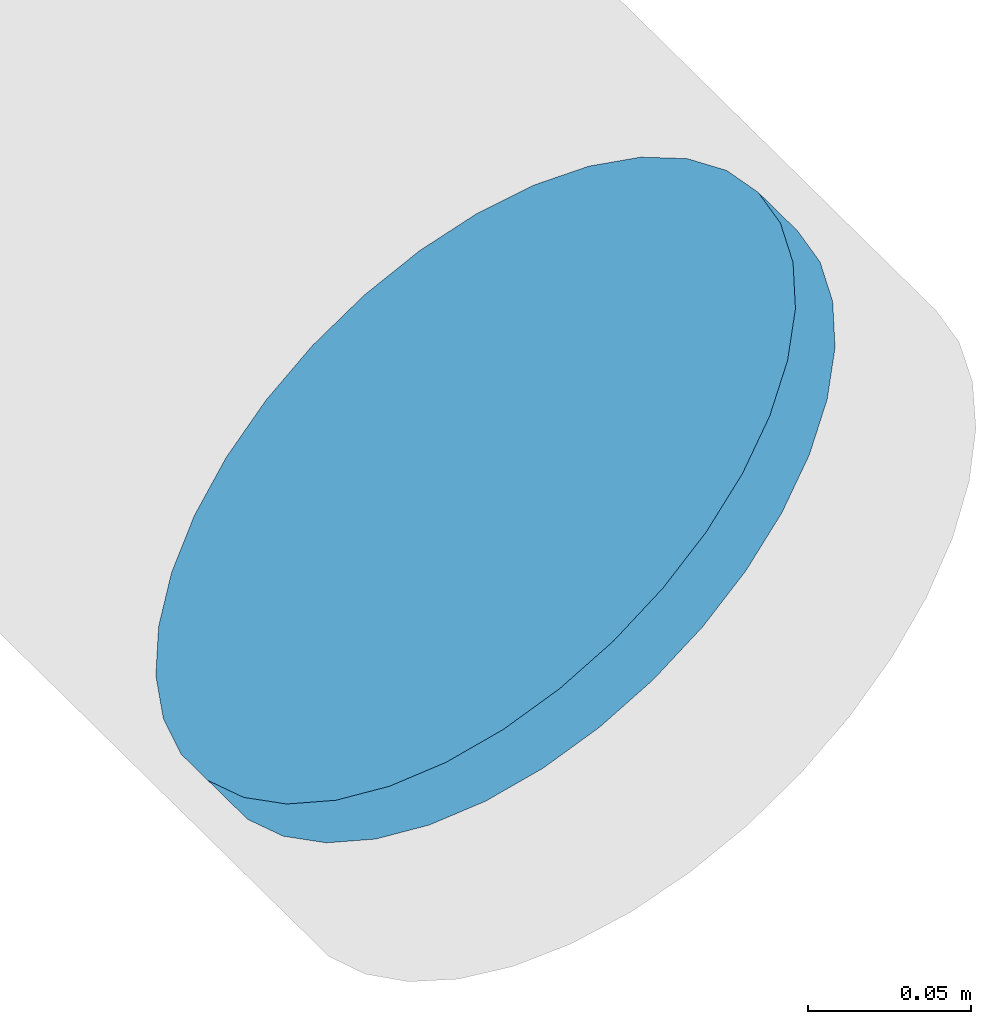
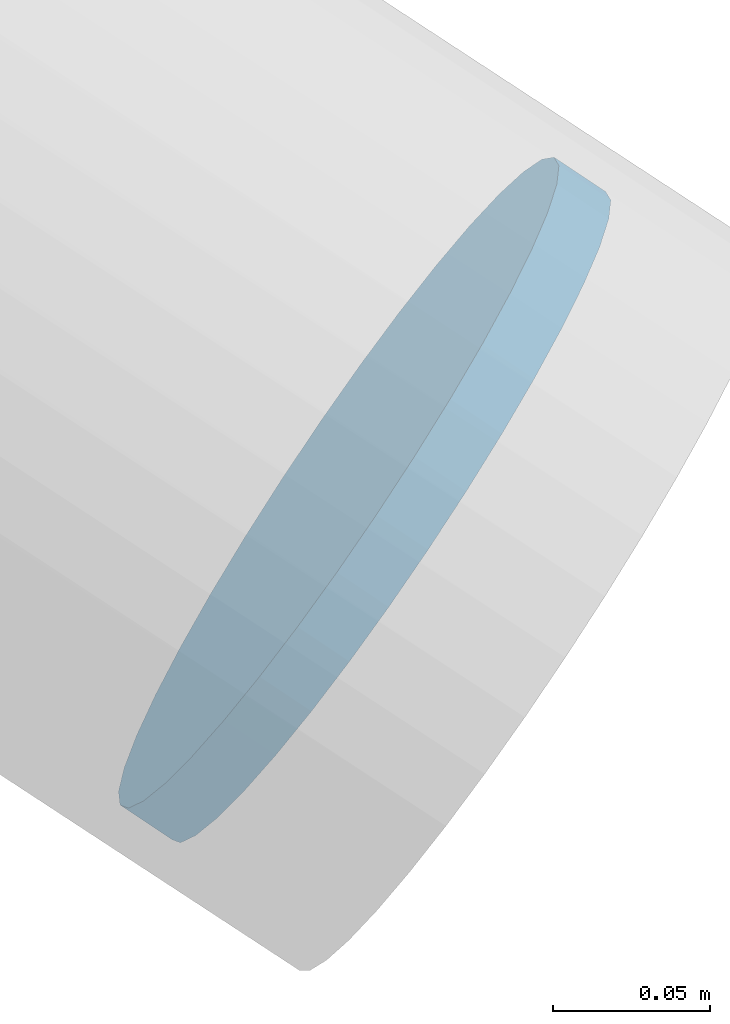
# One storey, part 28 of 36: 1 discrete accessory.
"""IFC4 building model written with IfcOpenShell, lengths in metres."""

from ifc_helpers import new_model, si_unit, direction, frame, origin, origin_2d, place, context, subcontext, project, spatial, circle, extrude, material, material_profile, profile_set, type_object, element, save


model = new_model("IFC4")

# Units and contexts
model_context = context("Model", 3, precision=1e-05, world=origin(), true_north=direction((0.0, 1.0)))
body_context = subcontext(model_context, "Body", "Model", "MODEL_VIEW")
ifc_project = project(units=[si_unit("LENGTHUNIT", "METRE"), si_unit("AREAUNIT", "SQUARE_METRE"), si_unit("VOLUMEUNIT", "CUBIC_METRE"), si_unit("PLANEANGLEUNIT", "RADIAN"), si_unit("MASSUNIT", "GRAM", prefix="KILO")], contexts=[model_context])

# Site, building, storey
site_placement = place(None, origin())
site = spatial("IfcSite", under=ifc_project, at=site_placement, CompositionType="ELEMENT")
building_placement = place(site_placement, origin())
building = spatial("IfcBuilding", under=site, at=building_placement, Name="Rimbun Link Towers", CompositionType="ELEMENT")
storey_placement = place(building_placement, frame((0.0, 0.0, 248.5)))
storey = spatial("IfcBuildingStorey", under=building, at=storey_placement, Name="L61", CompositionType="ELEMENT", Elevation=248.5)

# Discrete accessory
ifc_material = material(Name="Steel S355J2H", Category="steel")
ifc_material_profile = material_profile(ifc_material, circle(Radius=0.1240234375, at=origin_2d()), Name="PL D248")
ifc_profile_set = profile_set([ifc_material_profile], Name="Steel S355J2H")
discrete_accessory_type = type_object("IfcDiscreteAccessoryType", Name="Link foot sealing plate D248X20", PredefinedType="BRACKET", material=ifc_profile_set)
discrete_accessory_placement = place(storey_placement, frame((42.22021484375, -16.91357421875, -2.07421875), z_axis=(0.60858061945, -0.596409007061, -0.523379332727), x_axis=(0.69992858236, 0.714212839143, 0.0)))
element("IfcDiscreteAccessory", 1, at=discrete_accessory_placement, inside=storey, type_object=discrete_accessory_type, Name="Link foot sealing plate T2 L61 17", PredefinedType="BRACKET", context=body_context, shape_type="SweptSolid", body=[
    extrude(circle(Radius=0.1240234375, at=origin_2d()), origin(), (0.0, 0.0, 1.0), 0.02001953125),
])

save(model, "model.ifc")
